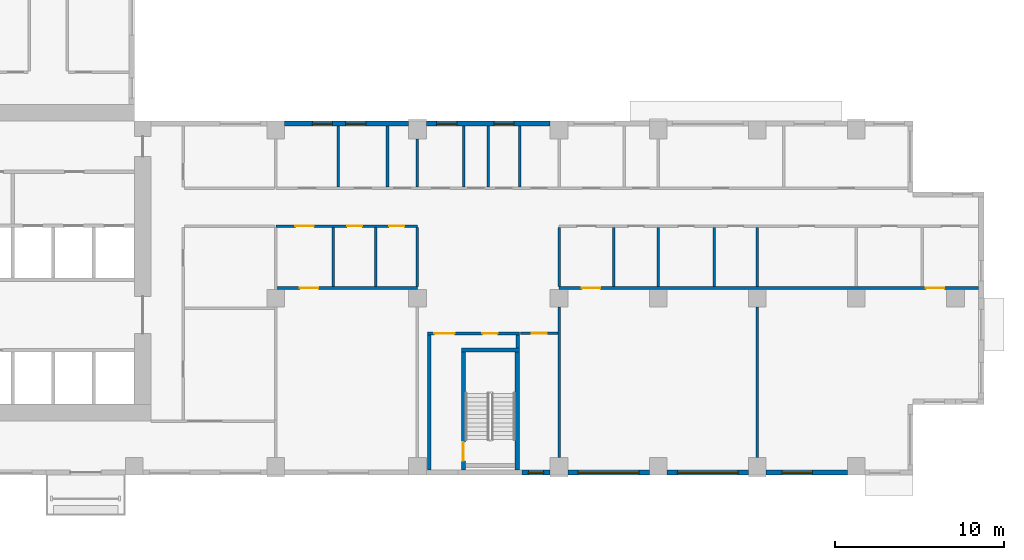
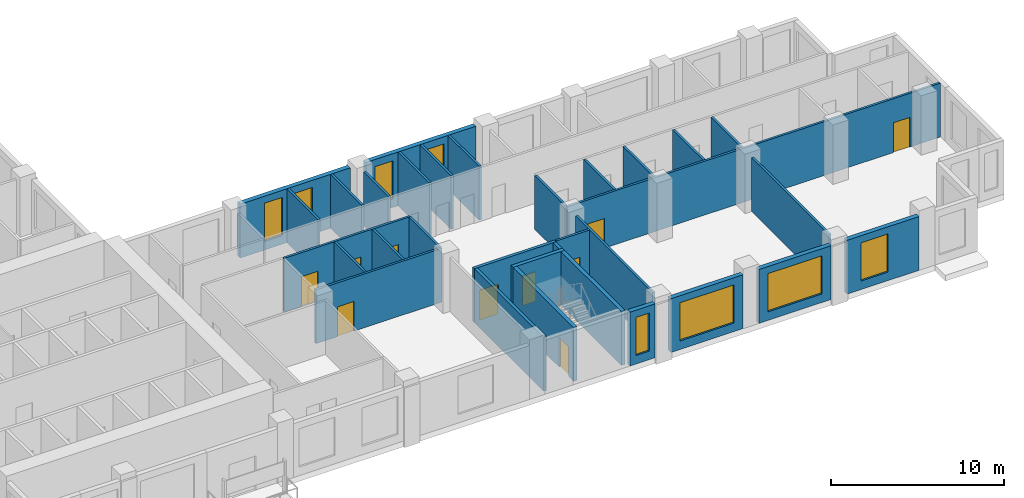
# One storey, part 4 of 13: 32 walls, 10 doors, 8 windows, 18 openings.
"""IFC4 building model written with IfcOpenShell, lengths in metres."""

from ifc_helpers import new_model, si_unit, direction, frame, frame_2d, origin, place, context, subcontext, project, spatial, rectangle, extrude, source, transform, mapped, material, layer, layer_set, type_object, element, fill, save


model = new_model("IFC4")

# Units and contexts
model_context = context("Model", 3, precision=1e-05, world=origin(), true_north=direction((0.0, 1.0)))
body_context = subcontext(model_context, "Body", "Model", "MODEL_VIEW")
ifc_project = project(units=[si_unit("LENGTHUNIT", "METRE"), si_unit("AREAUNIT", "SQUARE_METRE"), si_unit("VOLUMEUNIT", "CUBIC_METRE"), si_unit("PLANEANGLEUNIT", "RADIAN"), si_unit("MASSUNIT", "GRAM", prefix="KILO")], contexts=[model_context])

# Site, building, storey
site_placement = place(None, origin())
site = spatial("IfcSite", under=ifc_project, at=site_placement, CompositionType="ELEMENT")
building_placement = place(site_placement, origin())
building = spatial("IfcBuilding", under=site, at=building_placement, Name="Aurelian Terraces", CompositionType="ELEMENT")
storey_placement = place(building_placement, frame((0.0, 0.0, 158.1)))
storey = spatial("IfcBuildingStorey", under=building, at=storey_placement, Name="L35", CompositionType="ELEMENT", Elevation=158.1)

# Wall, openings, windows
ifc_material_1 = material(Name="Terracotta rainscreen cladding", Category="masonry")
ifc_layer_1 = layer(ifc_material_1, 0.3)
ifc_layer_set_1 = layer_set([ifc_layer_1], Name="EW-300")
wall_type_1 = type_object("IfcWallType", Name="EW-300", PredefinedType="STANDARD", material=ifc_layer_set_1)
shared_shape_1 = source(origin(), body_context, "Body", "SweptSolid", [
    extrude(rectangle(XDim=7.35, YDim=0.3, at=frame_2d((3.675, 0.0))), origin(), (0.0, 0.0, 1.0), 3.8),
])
wall_1_placement = place(storey_placement, frame((45.675, 20.85, 0.0), z_axis=(0.0, 0.0, 1.0), x_axis=(-1.0, 0.0, 0.0)))
wall_1 = element("IfcWall", 1, at=wall_1_placement, inside=storey, type_object=wall_type_1, Name="External wall L35 F07.20", PredefinedType="STANDARD", context=body_context, shape_type="MappedRepresentation", body=[
    mapped(shared_shape_1, transform((0.0, 0.0, 0.0), scale=1.0)),
])
shared_shape_2 = source(origin(), body_context, "Body", "SweptSolid", [
    extrude(rectangle(XDim=1.2, YDim=2.7, at=frame_2d((0.6, 1.35))), frame((0.0, 0.16, 0.0), z_axis=(0.0, -1.0, 0.0), x_axis=(1.0, 0.0, 0.0)), (0.0, 0.0, 1.0), 0.32),
])
opening_1_placement = place(wall_1_placement, frame((2.141, 0.0, 0.6)))
opening_1 = element("IfcOpeningElement", 2, at=opening_1_placement, cuts=wall_1, Name="Opening W1227", PredefinedType="OPENING", context=body_context, shape_type="MappedRepresentation", body=[
    mapped(shared_shape_2, transform((0.0, 0.0, 0.0), scale=1.0)),
])
opening_2_placement = place(wall_1_placement, frame((5.5385, 0.0, 0.6)))
opening_2 = element("IfcOpeningElement", 3, at=opening_2_placement, cuts=wall_1, Name="Opening W1227", PredefinedType="OPENING", context=body_context, shape_type="MappedRepresentation", body=[
    mapped(shared_shape_2, transform((0.0, 0.0, 0.0), scale=1.0)),
])
ifc_material_2 = material(Name="Clear glazing", Category="glass")
window_type_1 = type_object("IfcWindowType", Name="W-1200x2700", PartitioningType="SINGLE_PANEL", PredefinedType="WINDOW", material=ifc_material_2)
shared_shape_3 = source(origin(), body_context, "Body", "SweptSolid", [
    extrude(rectangle(XDim=1.2, YDim=2.7, at=frame_2d((0.6, 1.35))), frame((0.0, 0.03, 0.0), z_axis=(0.0, -1.0, 0.0), x_axis=(1.0, 0.0, 0.0)), (0.0, 0.0, 1.0), 0.06),
])
window_1_placement = place(opening_1_placement, origin())
window_1 = element("IfcWindow", 4, at=window_1_placement, inside=storey, type_object=window_type_1, Name="Window L35 L35-F07-20-P0.1", OverallHeight=2.7, OverallWidth=1.2, PartitioningType="SINGLE_PANEL", PredefinedType="WINDOW", context=body_context, shape_type="MappedRepresentation", body=[
    mapped(shared_shape_3, transform((0.0, 0.0, 0.0), scale=1.0)),
])
fill(opening_1, window_1)
window_2_placement = place(opening_2_placement, origin())
window_2 = element("IfcWindow", 5, at=window_2_placement, inside=storey, type_object=window_type_1, Name="Window L35 L35-F07-20-P0.2", OverallHeight=2.7, OverallWidth=1.2, PartitioningType="SINGLE_PANEL", PredefinedType="WINDOW", context=body_context, shape_type="MappedRepresentation", body=[
    mapped(shared_shape_3, transform((0.0, 0.0, 0.0), scale=1.0)),
])
fill(opening_2, window_2)

wall_2_placement = place(storey_placement, frame((37.275, 20.85, 0.0), z_axis=(0.0, 0.0, 1.0), x_axis=(-1.0, 0.0, 0.0)))
wall_2 = element("IfcWall", 6, at=wall_2_placement, inside=storey, type_object=wall_type_1, Name="External wall L35 F07.20", PredefinedType="STANDARD", context=body_context, shape_type="MappedRepresentation", body=[
    mapped(shared_shape_1, transform((0.0, 0.0, 0.0), scale=1.0)),
])
opening_3_placement = place(wall_2_placement, frame((2.541, 0.0, 0.6)))
opening_3 = element("IfcOpeningElement", 7, at=opening_3_placement, cuts=wall_2, Name="Opening W1227", PredefinedType="OPENING", context=body_context, shape_type="MappedRepresentation", body=[
    mapped(shared_shape_2, transform((0.0, 0.0, 0.0), scale=1.0)),
])
opening_4_placement = place(wall_2_placement, frame((4.516, 0.0, 0.6)))
opening_4 = element("IfcOpeningElement", 8, at=opening_4_placement, cuts=wall_2, Name="Opening W1227", PredefinedType="OPENING", context=body_context, shape_type="MappedRepresentation", body=[
    mapped(shared_shape_2, transform((0.0, 0.0, 0.0), scale=1.0)),
])
window_3_placement = place(opening_3_placement, origin())
window_3 = element("IfcWindow", 9, at=window_3_placement, inside=storey, type_object=window_type_1, Name="Window L35 L35-F07-20-2.1", OverallHeight=2.7, OverallWidth=1.2, PartitioningType="SINGLE_PANEL", PredefinedType="WINDOW", context=body_context, shape_type="MappedRepresentation", body=[
    mapped(shared_shape_3, transform((0.0, 0.0, 0.0), scale=1.0)),
])
fill(opening_3, window_3)
window_4_placement = place(opening_4_placement, origin())
window_4 = element("IfcWindow", 10, at=window_4_placement, inside=storey, type_object=window_type_1, Name="Window L35 L35-F07-20-2.2", OverallHeight=2.7, OverallWidth=1.2, PartitioningType="SINGLE_PANEL", PredefinedType="WINDOW", context=body_context, shape_type="MappedRepresentation", body=[
    mapped(shared_shape_3, transform((0.0, 0.0, 0.0), scale=1.0)),
])
fill(opening_4, window_4)

# Wall, opening, window
shared_shape_4 = source(origin(), body_context, "Body", "SweptSolid", [
    extrude(rectangle(XDim=4.83, YDim=0.3, at=frame_2d((2.415, 0.0))), origin(), (0.0, 0.0, 1.0), 3.8),
])
wall_3_placement = place(storey_placement, frame((46.725, 0.15, 0.0), z_axis=(0.0, 0.0, 1.0), x_axis=(1.0, 0.0, 0.0)))
wall_3 = element("IfcWall", 11, at=wall_3_placement, inside=storey, type_object=wall_type_1, Name="External wall L35 F01.8", PredefinedType="STANDARD", context=body_context, shape_type="MappedRepresentation", body=[
    mapped(shared_shape_4, transform((0.0, 0.0, 0.0), scale=1.0)),
])
shared_shape_5 = source(origin(), body_context, "Body", "SweptSolid", [
    extrude(rectangle(XDim=3.6, YDim=2.7, at=frame_2d((1.8, 1.35))), frame((0.0, 0.16, 0.0), z_axis=(0.0, -1.0, 0.0), x_axis=(1.0, 0.0, 0.0)), (0.0, 0.0, 1.0), 0.32),
])
opening_5_placement = place(wall_3_placement, frame((0.615, 0.0, 0.6)))
opening_5 = element("IfcOpeningElement", 12, at=opening_5_placement, cuts=wall_3, Name="Opening W3627", PredefinedType="OPENING", context=body_context, shape_type="MappedRepresentation", body=[
    mapped(shared_shape_5, transform((0.0, 0.0, 0.0), scale=1.0)),
])
window_type_2 = type_object("IfcWindowType", Name="W-3600x2700", PartitioningType="SINGLE_PANEL", PredefinedType="WINDOW", material=ifc_material_2)
shared_shape_6 = source(origin(), body_context, "Body", "SweptSolid", [
    extrude(rectangle(XDim=3.6, YDim=2.7, at=frame_2d((1.8, 1.35))), frame((0.0, 0.03, 0.0), z_axis=(0.0, -1.0, 0.0), x_axis=(1.0, 0.0, 0.0)), (0.0, 0.0, 1.0), 0.06),
])
window_5_placement = place(opening_5_placement, origin())
window_5 = element("IfcWindow", 13, at=window_5_placement, inside=storey, type_object=window_type_2, Name="Window L35 L35-F01-08-0", OverallHeight=2.7, OverallWidth=3.6, PartitioningType="SINGLE_PANEL", PredefinedType="WINDOW", context=body_context, shape_type="MappedRepresentation", body=[
    mapped(shared_shape_6, transform((0.0, 0.0, 0.0), scale=1.0)),
])
fill(opening_5, window_5)

wall_4_placement = place(storey_placement, frame((52.605, 0.15, 0.0), z_axis=(0.0, 0.0, 1.0), x_axis=(1.0, 0.0, 0.0)))
wall_4 = element("IfcWall", 14, at=wall_4_placement, inside=storey, type_object=wall_type_1, Name="External wall L35 F01.9", PredefinedType="STANDARD", context=body_context, shape_type="MappedRepresentation", body=[
    mapped(shared_shape_4, transform((0.0, 0.0, 0.0), scale=1.0)),
])
opening_6_placement = place(wall_4_placement, frame((0.615, 0.0, 0.6)))
opening_6 = element("IfcOpeningElement", 15, at=opening_6_placement, cuts=wall_4, Name="Opening W3627", PredefinedType="OPENING", context=body_context, shape_type="MappedRepresentation", body=[
    mapped(shared_shape_5, transform((0.0, 0.0, 0.0), scale=1.0)),
])
window_6_placement = place(opening_6_placement, origin())
window_6 = element("IfcWindow", 16, at=window_6_placement, inside=storey, type_object=window_type_2, Name="Window L35 L35-F01-09-0", OverallHeight=2.7, OverallWidth=3.6, PartitioningType="SINGLE_PANEL", PredefinedType="WINDOW", context=body_context, shape_type="MappedRepresentation", body=[
    mapped(shared_shape_6, transform((0.0, 0.0, 0.0), scale=1.0)),
])
fill(opening_6, window_6)

wall_5_placement = place(storey_placement, frame((58.485, 0.15, 0.0), z_axis=(0.0, 0.0, 1.0), x_axis=(1.0, 0.0, 0.0)))
wall_5 = element("IfcWall", 17, at=wall_5_placement, inside=storey, type_object=wall_type_1, Name="External wall L35 F01.10", PredefinedType="STANDARD", context=body_context, shape_type="MappedRepresentation", body=[
    mapped(shared_shape_4, transform((0.0, 0.0, 0.0), scale=1.0)),
])
shared_shape_7 = source(origin(), body_context, "Body", "SweptSolid", [
    extrude(rectangle(XDim=1.8, YDim=2.7, at=frame_2d((0.9, 1.35))), frame((0.0, 0.16, 0.0), z_axis=(0.0, -1.0, 0.0), x_axis=(1.0, 0.0, 0.0)), (0.0, 0.0, 1.0), 0.32),
])
opening_7_placement = place(wall_5_placement, frame((0.9525, 0.0, 0.6)))
opening_7 = element("IfcOpeningElement", 18, at=opening_7_placement, cuts=wall_5, Name="Opening W1827", PredefinedType="OPENING", context=body_context, shape_type="MappedRepresentation", body=[
    mapped(shared_shape_7, transform((0.0, 0.0, 0.0), scale=1.0)),
])
window_type_3 = type_object("IfcWindowType", Name="W-1800x2700", PartitioningType="SINGLE_PANEL", PredefinedType="WINDOW", material=ifc_material_2)
shared_shape_8 = source(origin(), body_context, "Body", "SweptSolid", [
    extrude(rectangle(XDim=1.8, YDim=2.7, at=frame_2d((0.9, 1.35))), frame((0.0, 0.03, 0.0), z_axis=(0.0, -1.0, 0.0), x_axis=(1.0, 0.0, 0.0)), (0.0, 0.0, 1.0), 0.06),
])
window_7_placement = place(opening_7_placement, origin())
window_7 = element("IfcWindow", 19, at=window_7_placement, inside=storey, type_object=window_type_3, Name="Window L35 L35-F01-10-0", OverallHeight=2.7, OverallWidth=1.8, PartitioningType="SINGLE_PANEL", PredefinedType="WINDOW", context=body_context, shape_type="MappedRepresentation", body=[
    mapped(shared_shape_8, transform((0.0, 0.0, 0.0), scale=1.0)),
])
fill(opening_7, window_7)

shared_shape_9 = source(origin(), body_context, "Body", "SweptSolid", [
    extrude(rectangle(XDim=1.675, YDim=0.3, at=frame_2d((0.8375, 0.0))), origin(), (0.0, 0.0, 1.0), 3.8),
])
wall_6_placement = place(storey_placement, frame((44.0, 0.15, 0.0), z_axis=(0.0, 0.0, 1.0), x_axis=(1.0, 0.0, 0.0)))
wall_6 = element("IfcWall", 20, at=wall_6_placement, inside=storey, type_object=wall_type_1, Name="External wall L35 F01.7", PredefinedType="STANDARD", context=body_context, shape_type="MappedRepresentation", body=[
    mapped(shared_shape_9, transform((0.0, 0.0, 0.0), scale=1.0)),
])
shared_shape_10 = source(origin(), body_context, "Body", "SweptSolid", [
    extrude(rectangle(XDim=0.9, YDim=2.7, at=frame_2d((0.45, 1.35))), frame((0.0, 0.16, 0.0), z_axis=(0.0, -1.0, 0.0), x_axis=(1.0, 0.0, 0.0)), (0.0, 0.0, 1.0), 0.32),
])
opening_8_placement = place(wall_6_placement, frame((0.3875, 0.0, 0.6)))
opening_8 = element("IfcOpeningElement", 21, at=opening_8_placement, cuts=wall_6, Name="Opening W0927", PredefinedType="OPENING", context=body_context, shape_type="MappedRepresentation", body=[
    mapped(shared_shape_10, transform((0.0, 0.0, 0.0), scale=1.0)),
])
window_type_4 = type_object("IfcWindowType", Name="W-900x2700", PartitioningType="SINGLE_PANEL", PredefinedType="WINDOW", material=ifc_material_2)
shared_shape_11 = source(origin(), body_context, "Body", "SweptSolid", [
    extrude(rectangle(XDim=0.9, YDim=2.7, at=frame_2d((0.45, 1.35))), frame((0.0, 0.03, 0.0), z_axis=(0.0, -1.0, 0.0), x_axis=(1.0, 0.0, 0.0)), (0.0, 0.0, 1.0), 0.06),
])
window_8_placement = place(opening_8_placement, origin())
window_8 = element("IfcWindow", 22, at=window_8_placement, inside=storey, type_object=window_type_4, Name="Window L35 L35-F01-07-P2", OverallHeight=2.7, OverallWidth=0.9, PartitioningType="SINGLE_PANEL", PredefinedType="WINDOW", context=body_context, shape_type="MappedRepresentation", body=[
    mapped(shared_shape_11, transform((0.0, 0.0, 0.0), scale=1.0)),
])
fill(opening_8, window_8)

# Wall, opening, door
ifc_material_3 = material(Name="Concrete fc' 40 MPa", Category="concrete")
ifc_layer_2 = layer(ifc_material_3, 0.25)
ifc_layer_set_2 = layer_set([ifc_layer_2], Name="Stair enclosure wall 250")
wall_type_2 = type_object("IfcWallType", Name="Stair enclosure wall 250", PredefinedType="SOLIDWALL", material=ifc_layer_set_2)
shared_shape_12 = source(origin(), body_context, "Body", "SweptSolid", [
    extrude(rectangle(XDim=7.0, YDim=0.25, at=frame_2d((3.5, 0.0))), origin(), (0.0, 0.0, 1.0), 3.8),
])
wall_7_placement = place(storey_placement, frame((40.525, 0.3, 0.0), z_axis=(0.0, 0.0, 1.0), x_axis=(0.0, 1.0, 0.0)))
wall_7 = element("IfcWall", 23, at=wall_7_placement, inside=storey, type_object=wall_type_2, Name="L35 core wall ST-S2-W", PredefinedType="SOLIDWALL", context=body_context, shape_type="MappedRepresentation", body=[
    mapped(shared_shape_12, transform((0.0, 0.0, 0.0), scale=1.0)),
])
shared_shape_13 = source(origin(), body_context, "Body", "SweptSolid", [
    extrude(rectangle(XDim=1.1, YDim=2.1, at=frame_2d((0.55, 1.05))), frame((0.0, 0.135, 0.0), z_axis=(0.0, -1.0, 0.0), x_axis=(1.0, 0.0, 0.0)), (0.0, 0.0, 1.0), 0.27),
])
opening_9_placement = place(wall_7_placement, frame((0.55, 0.0, 0.0)))
opening_9 = element("IfcOpeningElement", 24, at=opening_9_placement, cuts=wall_7, Name="Opening 63814", PredefinedType="OPENING", context=body_context, shape_type="MappedRepresentation", body=[
    mapped(shared_shape_13, transform((0.0, 0.0, 0.0), scale=1.0)),
])
ifc_material_4 = material(Name="Steel door leaf", Category="steel")
door_type_1 = type_object("IfcDoorType", Name="Core fire door 1100x2100", OperationType="SINGLE_SWING_LEFT", PredefinedType="DOOR", material=ifc_material_4)
shared_shape_14 = source(origin(), body_context, "Body", "SweptSolid", [
    extrude(rectangle(XDim=1.1, YDim=2.1, at=frame_2d((0.55, 1.05))), frame((0.0, 0.025, 0.0), z_axis=(0.0, -1.0, 0.0), x_axis=(1.0, 0.0, 0.0)), (0.0, 0.0, 1.0), 0.05),
])
door_1_placement = place(opening_9_placement, origin())
door_1 = element("IfcDoor", 25, at=door_1_placement, inside=storey, type_object=door_type_1, Name="Stair door 63814", OperationType="SINGLE_SWING_LEFT", OverallHeight=2.1, OverallWidth=1.1, PredefinedType="DOOR", context=body_context, shape_type="MappedRepresentation", body=[
    mapped(shared_shape_14, transform((0.0, 0.0, 0.0), scale=1.0)),
])
fill(opening_9, door_1)

# Walls
wall_8_placement = place(storey_placement, frame((43.725, 0.3, 0.0), z_axis=(0.0, 0.0, 1.0), x_axis=(0.0, 1.0, 0.0)))
element("IfcWall", 26, at=wall_8_placement, inside=storey, type_object=wall_type_2, Name="L35 core wall ST-S2-E", PredefinedType="SOLIDWALL", context=body_context, shape_type="MappedRepresentation", body=[
    mapped(shared_shape_12, transform((0.0, 0.0, 0.0), scale=1.0)),
])
shared_shape_15 = source(origin(), body_context, "Body", "SweptSolid", [
    extrude(rectangle(XDim=3.45, YDim=0.25, at=frame_2d((1.725, 0.0))), origin(), (0.0, 0.0, 1.0), 3.8),
])
wall_9_placement = place(storey_placement, frame((40.4, 7.425, 0.0), z_axis=(0.0, 0.0, 1.0), x_axis=(1.0, 0.0, 0.0)))
element("IfcWall", 27, at=wall_9_placement, inside=storey, type_object=wall_type_2, Name="L35 core wall ST-S2-N", PredefinedType="SOLIDWALL", context=body_context, shape_type="MappedRepresentation", body=[
    mapped(shared_shape_15, transform((0.0, 0.0, 0.0), scale=1.0)),
])
ifc_material_5 = material(Name="Gypsum board on steel studs", Category="steel")
ifc_layer_3 = layer(ifc_material_5, 0.2)
ifc_layer_set_3 = layer_set([ifc_layer_3], Name="Core partition 200")
wall_type_3 = type_object("IfcWallType", Name="Core partition 200", PredefinedType="PARTITIONING", material=ifc_layer_set_3)
shared_shape_16 = source(origin(), body_context, "Body", "SweptSolid", [
    extrude(rectangle(XDim=8.0, YDim=0.2, at=frame_2d((4.0, 0.0))), origin(), (0.0, 0.0, 1.0), 3.8),
])
wall_10_placement = place(storey_placement, frame((38.5, 0.3, 0.0), z_axis=(0.0, 0.0, 1.0), x_axis=(0.0, 1.0, 0.0)))
element("IfcWall", 28, at=wall_10_placement, inside=storey, type_object=wall_type_3, Name="L35 core wall ST-S2-VW", PredefinedType="PARTITIONING", context=body_context, shape_type="MappedRepresentation", body=[
    mapped(shared_shape_16, transform((0.0, 0.0, 0.0), scale=1.0)),
])

# Wall, openings, doors
shared_shape_17 = source(origin(), body_context, "Body", "SweptSolid", [
    extrude(rectangle(XDim=5.45, YDim=0.2, at=frame_2d((2.725, 0.0))), origin(), (0.0, 0.0, 1.0), 3.8),
])
wall_11_placement = place(storey_placement, frame((38.4, 8.4, 0.0), z_axis=(0.0, 0.0, 1.0), x_axis=(1.0, 0.0, 0.0)))
wall_11 = element("IfcWall", 29, at=wall_11_placement, inside=storey, type_object=wall_type_3, Name="L35 core wall ST-S2-BN", PredefinedType="PARTITIONING", context=body_context, shape_type="MappedRepresentation", body=[
    mapped(shared_shape_17, transform((0.0, 0.0, 0.0), scale=1.0)),
])
shared_shape_18 = source(origin(), body_context, "Body", "SweptSolid", [
    extrude(rectangle(XDim=1.2, YDim=2.1, at=frame_2d((0.6, 1.05))), frame((0.0, 0.11, 0.0), z_axis=(0.0, -1.0, 0.0), x_axis=(1.0, 0.0, 0.0)), (0.0, 0.0, 1.0), 0.22),
])
opening_10_placement = place(wall_11_placement, frame((0.4, 0.0, 0.0)))
opening_10 = element("IfcOpeningElement", 30, at=opening_10_placement, cuts=wall_11, Name="Opening 63815", PredefinedType="OPENING", context=body_context, shape_type="MappedRepresentation", body=[
    mapped(shared_shape_18, transform((0.0, 0.0, 0.0), scale=1.0)),
])
shared_shape_19 = source(origin(), body_context, "Body", "SweptSolid", [
    extrude(rectangle(XDim=0.9, YDim=2.1, at=frame_2d((0.45, 1.05))), frame((0.0, 0.11, 0.0), z_axis=(0.0, -1.0, 0.0), x_axis=(1.0, 0.0, 0.0)), (0.0, 0.0, 1.0), 0.22),
])
opening_11_placement = place(wall_11_placement, frame((3.25, 0.0, 0.0)))
opening_11 = element("IfcOpeningElement", 31, at=opening_11_placement, cuts=wall_11, Name="Opening 63816", PredefinedType="OPENING", context=body_context, shape_type="MappedRepresentation", body=[
    mapped(shared_shape_19, transform((0.0, 0.0, 0.0), scale=1.0)),
])
door_type_2 = type_object("IfcDoorType", Name="Core riser door 900x2100", OperationType="SINGLE_SWING_LEFT", PredefinedType="DOOR", material=ifc_material_4)
shared_shape_20 = source(origin(), body_context, "Body", "SweptSolid", [
    extrude(rectangle(XDim=0.9, YDim=2.1, at=frame_2d((0.45, 1.05))), frame((0.0, 0.025, 0.0), z_axis=(0.0, -1.0, 0.0), x_axis=(1.0, 0.0, 0.0)), (0.0, 0.0, 1.0), 0.05),
])
door_2_placement = place(opening_11_placement, origin())
door_2 = element("IfcDoor", 32, at=door_2_placement, inside=storey, type_object=door_type_2, Name="Riser door 63816", OperationType="SINGLE_SWING_LEFT", OverallHeight=2.1, OverallWidth=0.9, PredefinedType="DOOR", context=body_context, shape_type="MappedRepresentation", body=[
    mapped(shared_shape_20, transform((0.0, 0.0, 0.0), scale=1.0)),
])
fill(opening_11, door_2)
door_type_3 = type_object("IfcDoorType", Name="Core fire door 1200x2100 right", OperationType="SINGLE_SWING_RIGHT", PredefinedType="DOOR", material=ifc_material_4)
shared_shape_21 = source(origin(), body_context, "Body", "SweptSolid", [
    extrude(rectangle(XDim=1.2, YDim=2.1, at=frame_2d((0.6, 1.05))), frame((0.0, 0.025, 0.0), z_axis=(0.0, -1.0, 0.0), x_axis=(1.0, 0.0, 0.0)), (0.0, 0.0, 1.0), 0.05),
])
door_3_placement = place(opening_10_placement, origin())
door_3 = element("IfcDoor", 33, at=door_3_placement, inside=storey, type_object=door_type_3, Name="Vestibule door 63815", OperationType="SINGLE_SWING_RIGHT", OverallHeight=2.1, OverallWidth=1.2, PredefinedType="DOOR", context=body_context, shape_type="MappedRepresentation", body=[
    mapped(shared_shape_21, transform((0.0, 0.0, 0.0), scale=1.0)),
])
fill(opening_10, door_3)

# Walls
shared_shape_22 = source(origin(), body_context, "Body", "SweptSolid", [
    extrude(rectangle(XDim=0.75, YDim=0.2, at=frame_2d((0.375, 0.0))), origin(), (0.0, 0.0, 1.0), 3.8),
])
wall_12_placement = place(storey_placement, frame((43.75, 7.55, 0.0), z_axis=(0.0, 0.0, 1.0), x_axis=(0.0, 1.0, 0.0)))
element("IfcWall", 34, at=wall_12_placement, inside=storey, type_object=wall_type_3, Name="L35 core wall ST-S2-RE", PredefinedType="PARTITIONING", context=body_context, shape_type="MappedRepresentation", body=[
    mapped(shared_shape_22, transform((0.0, 0.0, 0.0), scale=1.0)),
])
ifc_layer_4 = layer(ifc_material_5, 0.15)
ifc_layer_set_4 = layer_set([ifc_layer_4], Name="Partition 150")
wall_type_4 = type_object("IfcWallType", Name="Partition 150", PredefinedType="PARTITIONING", material=ifc_layer_set_4)
shared_shape_23 = source(origin(), body_context, "Body", "SweptSolid", [
    extrude(rectangle(XDim=3.6, YDim=0.15, at=frame_2d((1.8, 0.0))), origin(), (0.0, 0.0, 1.0), 3.8),
])
for number, where, z_axis, x_axis, name in (
    (35, (33.1133, 20.7, 0.0), (0.0, 0.0, 1.0), (0.0, -1.0, 0.0), "Partition"),
    (36, (36.024, 20.7, 0.0), (0.0, 0.0, 1.0), (0.0, -1.0, 0.0), "Partition"),
    (37, (40.548, 20.7, 0.0), (0.0, 0.0, 1.0), (0.0, -1.0, 0.0), "Partition"),
    (38, (43.8679, 20.7, 0.0), (0.0, 0.0, 1.0), (0.0, -1.0, 0.0), "Partition"),
    (39, (42.0, 17.1, 0.0), (0.0, 0.0, 1.0), (0.0, 1.0, 0.0), "Partition"),
):
    element("IfcWall", number, at=place(storey_placement, frame(where, z_axis=z_axis, x_axis=x_axis)), inside=storey, type_object=wall_type_4, Name=name, PredefinedType="PARTITIONING", context=body_context, shape_type="MappedRepresentation", body=[
        mapped(shared_shape_23, transform((0.0, 0.0, 0.0), scale=1.0)),
    ])

# Wall, opening, door
shared_shape_24 = source(origin(), body_context, "Body", "SweptSolid", [
    extrude(rectangle(XDim=8.4, YDim=0.15, at=frame_2d((4.2, 0.0))), origin(), (0.0, 0.0, 1.0), 3.8),
])
wall_13_placement = place(storey_placement, frame((37.8, 11.1, 0.0), z_axis=(0.0, 0.0, 1.0), x_axis=(-1.0, 0.0, 0.0)))
wall_13 = element("IfcWall", 40, at=wall_13_placement, inside=storey, type_object=wall_type_4, Name="Partition", PredefinedType="PARTITIONING", context=body_context, shape_type="MappedRepresentation", body=[
    mapped(shared_shape_24, transform((0.0, 0.0, 0.0), scale=1.0)),
])
shared_shape_25 = source(origin(), body_context, "Body", "SweptSolid", [
    extrude(rectangle(XDim=1.1, YDim=2.1, at=frame_2d((0.55, 1.05))), frame((0.0, 0.085, 0.0), z_axis=(0.0, -1.0, 0.0), x_axis=(1.0, 0.0, 0.0)), (0.0, 0.0, 1.0), 0.17),
])
opening_12_placement = place(wall_13_placement, frame((5.8706, 0.0, 0.0)))
opening_12 = element("IfcOpeningElement", 41, at=opening_12_placement, cuts=wall_13, Name="Opening 735007", PredefinedType="OPENING", context=body_context, shape_type="MappedRepresentation", body=[
    mapped(shared_shape_25, transform((0.0, 0.0, 0.0), scale=1.0)),
])
ifc_material_6 = material(Name="Timber door leaf", Category="wood")
door_type_4 = type_object("IfcDoorType", Name="Room door 1100x2100 right", OperationType="SINGLE_SWING_RIGHT", PredefinedType="DOOR", material=ifc_material_6)
door_4_placement = place(opening_12_placement, origin())
door_4 = element("IfcDoor", 42, at=door_4_placement, inside=storey, type_object=door_type_4, Name="Door 735007", OperationType="SINGLE_SWING_RIGHT", OverallHeight=2.1, OverallWidth=1.1, PredefinedType="DOOR", context=body_context, shape_type="MappedRepresentation", body=[
    mapped(shared_shape_14, transform((0.0, 0.0, 0.0), scale=1.0)),
])
fill(opening_12, door_4)

# Wall, openings, doors
ifc_layer_5 = layer(ifc_material_5, 0.15)
ifc_layer_set_5 = layer_set([ifc_layer_5], Name="Fire partition 150")
wall_type_5 = type_object("IfcWallType", Name="Fire partition 150", PredefinedType="PARTITIONING", material=ifc_layer_set_5)
wall_14_placement = place(storey_placement, frame((37.8, 14.775, 0.0), z_axis=(0.0, 0.0, 1.0), x_axis=(-1.0, 0.0, 0.0)))
wall_14 = element("IfcWall", 43, at=wall_14_placement, inside=storey, type_object=wall_type_5, Name="Corridor wall", PredefinedType="PARTITIONING", context=body_context, shape_type="MappedRepresentation", body=[
    mapped(shared_shape_24, transform((0.0, 0.0, 0.0), scale=1.0)),
])
opening_13_placement = place(wall_14_placement, frame((6.1456, 0.0, 0.0)))
opening_13 = element("IfcOpeningElement", 44, at=opening_13_placement, cuts=wall_14, Name="Opening 735006", PredefinedType="OPENING", context=body_context, shape_type="MappedRepresentation", body=[
    mapped(shared_shape_25, transform((0.0, 0.0, 0.0), scale=1.0)),
])
shared_shape_26 = source(origin(), body_context, "Body", "SweptSolid", [
    extrude(rectangle(XDim=0.9, YDim=2.1, at=frame_2d((0.45, 1.05))), frame((0.0, 0.085, 0.0), z_axis=(0.0, -1.0, 0.0), x_axis=(1.0, 0.0, 0.0)), (0.0, 0.0, 1.0), 0.17),
])
opening_14_placement = place(wall_14_placement, frame((3.2762, 0.0, 0.0)))
opening_14 = element("IfcOpeningElement", 45, at=opening_14_placement, cuts=wall_14, Name="Opening 735008", PredefinedType="OPENING", context=body_context, shape_type="MappedRepresentation", body=[
    mapped(shared_shape_26, transform((0.0, 0.0, 0.0), scale=1.0)),
])
opening_15_placement = place(wall_14_placement, frame((0.7806, 0.0, 0.0)))
opening_15 = element("IfcOpeningElement", 46, at=opening_15_placement, cuts=wall_14, Name="Opening 735009", PredefinedType="OPENING", context=body_context, shape_type="MappedRepresentation", body=[
    mapped(shared_shape_26, transform((0.0, 0.0, 0.0), scale=1.0)),
])
door_type_5 = type_object("IfcDoorType", Name="Room door 900x2100 left", OperationType="SINGLE_SWING_LEFT", PredefinedType="DOOR", material=ifc_material_6)
door_5_placement = place(opening_14_placement, origin())
door_5 = element("IfcDoor", 47, at=door_5_placement, inside=storey, type_object=door_type_5, Name="Door 735008", OperationType="SINGLE_SWING_LEFT", OverallHeight=2.1, OverallWidth=0.9, PredefinedType="DOOR", context=body_context, shape_type="MappedRepresentation", body=[
    mapped(shared_shape_20, transform((0.0, 0.0, 0.0), scale=1.0)),
])
fill(opening_14, door_5)
door_type_6 = type_object("IfcDoorType", Name="Room door 900x2100 right", OperationType="SINGLE_SWING_RIGHT", PredefinedType="DOOR", material=ifc_material_6)
door_6_placement = place(opening_15_placement, origin())
door_6 = element("IfcDoor", 48, at=door_6_placement, inside=storey, type_object=door_type_6, Name="Door 735009", OperationType="SINGLE_SWING_RIGHT", OverallHeight=2.1, OverallWidth=0.9, PredefinedType="DOOR", context=body_context, shape_type="MappedRepresentation", body=[
    mapped(shared_shape_20, transform((0.0, 0.0, 0.0), scale=1.0)),
])
fill(opening_15, door_6)
door_type_7 = type_object("IfcDoorType", Name="Room door 1100x2100 left", OperationType="SINGLE_SWING_LEFT", PredefinedType="DOOR", material=ifc_material_6)
door_7_placement = place(opening_13_placement, origin())
door_7 = element("IfcDoor", 49, at=door_7_placement, inside=storey, type_object=door_type_7, Name="Door 735006", OperationType="SINGLE_SWING_LEFT", OverallHeight=2.1, OverallWidth=1.1, PredefinedType="DOOR", context=body_context, shape_type="MappedRepresentation", body=[
    mapped(shared_shape_14, transform((0.0, 0.0, 0.0), scale=1.0)),
])
fill(opening_13, door_7)

shared_shape_27 = source(origin(), body_context, "Body", "SweptSolid", [
    extrude(rectangle(XDim=24.9, YDim=0.15, at=frame_2d((12.45, 0.0))), origin(), (0.0, 0.0, 1.0), 3.8),
])
wall_15_placement = place(storey_placement, frame((71.1, 11.1, 0.0), z_axis=(0.0, 0.0, 1.0), x_axis=(-1.0, 0.0, 0.0)))
wall_15 = element("IfcWall", 50, at=wall_15_placement, inside=storey, type_object=wall_type_4, Name="Partition", PredefinedType="PARTITIONING", context=body_context, shape_type="MappedRepresentation", body=[
    mapped(shared_shape_27, transform((0.0, 0.0, 0.0), scale=1.0)),
])
opening_16_placement = place(wall_15_placement, frame((22.4511, 0.0, 0.0)))
opening_16 = element("IfcOpeningElement", 51, at=opening_16_placement, cuts=wall_15, Name="Opening 735011", PredefinedType="OPENING", context=body_context, shape_type="MappedRepresentation", body=[
    mapped(shared_shape_25, transform((0.0, 0.0, 0.0), scale=1.0)),
])
opening_17_placement = place(wall_15_placement, frame((2.0409, 0.0, 0.0)))
opening_17 = element("IfcOpeningElement", 52, at=opening_17_placement, cuts=wall_15, Name="Opening 735016", PredefinedType="OPENING", context=body_context, shape_type="MappedRepresentation", body=[
    mapped(shared_shape_25, transform((0.0, 0.0, 0.0), scale=1.0)),
])
door_8_placement = place(opening_16_placement, origin())
door_8 = element("IfcDoor", 53, at=door_8_placement, inside=storey, type_object=door_type_4, Name="Door 735011", OperationType="SINGLE_SWING_RIGHT", OverallHeight=2.1, OverallWidth=1.1, PredefinedType="DOOR", context=body_context, shape_type="MappedRepresentation", body=[
    mapped(shared_shape_14, transform((0.0, 0.0, 0.0), scale=1.0)),
])
fill(opening_16, door_8)
door_9_placement = place(opening_17_placement, origin())
door_9 = element("IfcDoor", 54, at=door_9_placement, inside=storey, type_object=door_type_4, Name="Door 735016", OperationType="SINGLE_SWING_RIGHT", OverallHeight=2.1, OverallWidth=1.1, PredefinedType="DOOR", context=body_context, shape_type="MappedRepresentation", body=[
    mapped(shared_shape_14, transform((0.0, 0.0, 0.0), scale=1.0)),
])
fill(opening_17, door_9)

# Wall, opening, door
shared_shape_28 = source(origin(), body_context, "Body", "SweptSolid", [
    extrude(rectangle(XDim=2.2, YDim=0.15, at=frame_2d((1.1, 0.0))), origin(), (0.0, 0.0, 1.0), 3.8),
])
wall_16_placement = place(storey_placement, frame((46.125, 8.425, 0.0), z_axis=(0.0, 0.0, 1.0), x_axis=(-1.0, 0.0, 0.0)))
wall_16 = element("IfcWall", 55, at=wall_16_placement, inside=storey, type_object=wall_type_4, Name="Partition", PredefinedType="PARTITIONING", context=body_context, shape_type="MappedRepresentation", body=[
    mapped(shared_shape_28, transform((0.0, 0.0, 0.0), scale=1.0)),
])
opening_18_placement = place(wall_16_placement, frame((0.65, 0.0, 0.0)))
opening_18 = element("IfcOpeningElement", 56, at=opening_18_placement, cuts=wall_16, Name="Opening 735005", PredefinedType="OPENING", context=body_context, shape_type="MappedRepresentation", body=[
    mapped(shared_shape_26, transform((0.0, 0.0, 0.0), scale=1.0)),
])
door_10_placement = place(opening_18_placement, origin())
door_10 = element("IfcDoor", 57, at=door_10_placement, inside=storey, type_object=door_type_6, Name="Door 735005", OperationType="SINGLE_SWING_RIGHT", OverallHeight=2.1, OverallWidth=0.9, PredefinedType="DOOR", context=body_context, shape_type="MappedRepresentation", body=[
    mapped(shared_shape_20, transform((0.0, 0.0, 0.0), scale=1.0)),
])
fill(opening_18, door_10)

# Walls
shared_shape_29 = source(origin(), body_context, "Body", "SweptSolid", [
    extrude(rectangle(XDim=8.927, YDim=0.15, at=frame_2d((4.4635, 0.0))), origin(), (0.0, 0.0, 1.0), 3.8),
])
for number, where, z_axis, x_axis, name in (
    (58, (46.2, 1.049, 0.0), (0.0, 0.0, 1.0), (0.0, 1.0, 0.0), "Partition"),
    (59, (57.96, 1.049, 0.0), (0.0, 0.0, 1.0), (0.0, 1.0, 0.0), "Partition"),
):
    element("IfcWall", number, at=place(storey_placement, frame(where, z_axis=z_axis, x_axis=x_axis)), inside=storey, type_object=wall_type_4, Name=name, PredefinedType="PARTITIONING", context=body_context, shape_type="MappedRepresentation", body=[
        mapped(shared_shape_29, transform((0.0, 0.0, 0.0), scale=1.0)),
    ])
shared_shape_30 = source(origin(), body_context, "Body", "SweptSolid", [
    extrude(rectangle(XDim=2.851, YDim=0.15, at=frame_2d((1.4255, 0.0))), origin(), (0.0, 0.0, 1.0), 3.8),
])
wall_17_placement = place(storey_placement, frame((37.8, 17.1, 0.0), z_axis=(0.0, 0.0, 1.0), x_axis=(0.0, 1.0, 0.0)))
element("IfcWall", 60, at=wall_17_placement, inside=storey, type_object=wall_type_4, Name="Partition", PredefinedType="PARTITIONING", context=body_context, shape_type="MappedRepresentation", body=[
    mapped(shared_shape_30, transform((0.0, 0.0, 0.0), scale=1.0)),
])
shared_shape_31 = source(origin(), body_context, "Body", "SweptSolid", [
    extrude(rectangle(XDim=3.525, YDim=0.15, at=frame_2d((1.7625, 0.0))), origin(), (0.0, 0.0, 1.0), 3.8),
])
for number, where, z_axis, x_axis, name in (
    (61, (32.8088, 11.175, 0.0), (0.0, 0.0, 1.0), (0.0, 1.0, 0.0), "Partition"),
    (62, (35.3388, 11.175, 0.0), (0.0, 0.0, 1.0), (0.0, 1.0, 0.0), "Partition"),
    (63, (37.8, 11.175, 0.0), (0.0, 0.0, 1.0), (0.0, 1.0, 0.0), "Partition"),
    (64, (49.4479, 11.175, 0.0), (0.0, 0.0, 1.0), (0.0, 1.0, 0.0), "Partition"),
    (65, (52.08, 11.175, 0.0), (0.0, 0.0, 1.0), (0.0, 1.0, 0.0), "Partition"),
    (66, (55.4095, 11.175, 0.0), (0.0, 0.0, 1.0), (0.0, 1.0, 0.0), "Partition"),
    (67, (46.2, 11.175, 0.0), (0.0, 0.0, 1.0), (0.0, 1.0, 0.0), "Partition"),
    (68, (57.96, 11.175, 0.0), (0.0, 0.0, 1.0), (0.0, 1.0, 0.0), "Partition"),
):
    element("IfcWall", number, at=place(storey_placement, frame(where, z_axis=z_axis, x_axis=x_axis)), inside=storey, type_object=wall_type_4, Name=name, PredefinedType="PARTITIONING", context=body_context, shape_type="MappedRepresentation", body=[
        mapped(shared_shape_31, transform((0.0, 0.0, 0.0), scale=1.0)),
    ])

save(model, "model.ifc")
